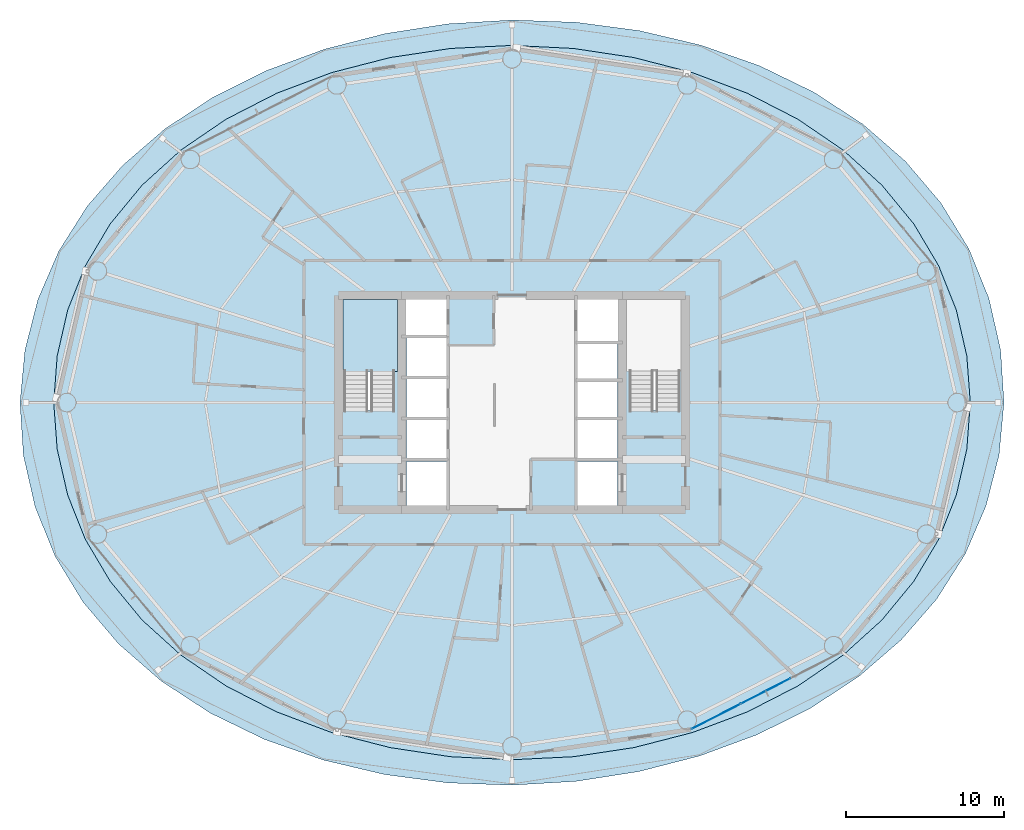
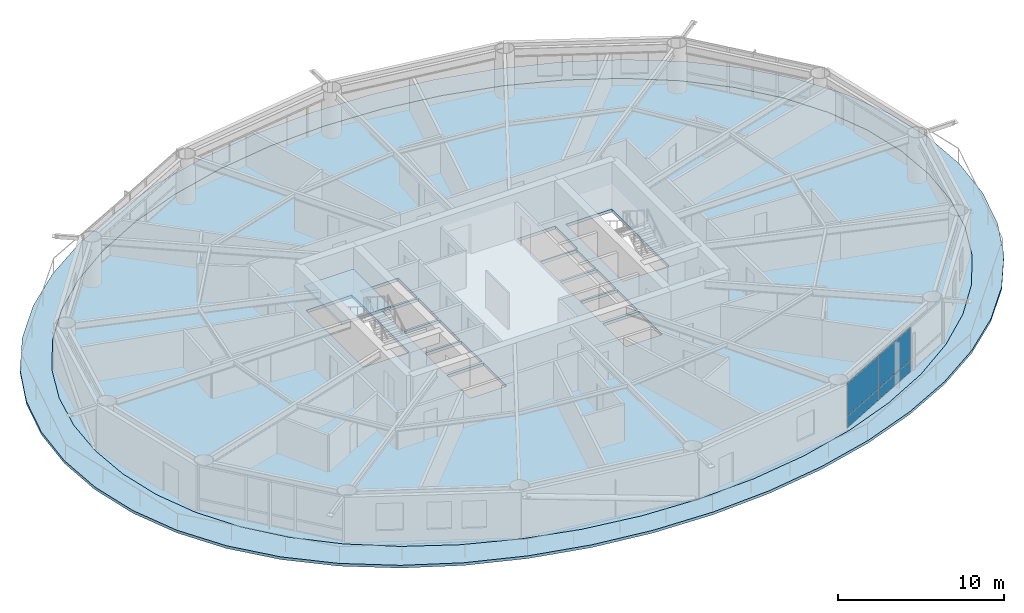
# One storey, part 15 of 24: 4 plates, 3 slabs, 2 elements without a shape of their own.
"""IFC4 building model written with IfcOpenShell, lengths in metres."""

from ifc_helpers import new_model, si_unit, direction, frame, origin, origin_2d, place, context, subcontext, project, spatial, polyline, rectangle, outline, extrude, material, layer, layer_set, type_object, element, aggregate, save


model = new_model("IFC4")

# Units and contexts
model_context = context("Model", 3, precision=1e-05, world=origin(), true_north=direction((0.0, 1.0)))
body_context = subcontext(model_context, "Body", "Model", "MODEL_VIEW")
ifc_project = project(units=[si_unit("LENGTHUNIT", "METRE"), si_unit("AREAUNIT", "SQUARE_METRE"), si_unit("VOLUMEUNIT", "CUBIC_METRE"), si_unit("PLANEANGLEUNIT", "RADIAN"), si_unit("MASSUNIT", "GRAM", prefix="KILO")], contexts=[model_context])

# Site, building, storey
site_placement = place(None, origin())
site = spatial("IfcSite", under=ifc_project, at=site_placement, CompositionType="ELEMENT")
building_placement = place(site_placement, origin())
building = spatial("IfcBuilding", under=site, at=building_placement, Name="Sarneth Arch Tower", CompositionType="ELEMENT")
storey_placement = place(building_placement, frame((0.0, 0.0, 94.800048828125)))
storey = spatial("IfcBuildingStorey", under=building, at=storey_placement, Name="L23", CompositionType="ELEMENT", Elevation=94.800048828125)

# Curtain wall, plates
ifc_material_1 = material(Name="Anodised aluminium Type AA25 and solar-control low-e laminated IGU", Category="aluminium")
ifc_layer_1 = layer(ifc_material_1, 0.159912109375)
ifc_layer_set_1 = layer_set([ifc_layer_1], Name="Anodised aluminium Type AA25 and solar-control low-e laminated IGU")
curtain_wall_type = type_object("IfcCurtainWallType", Name="CW-HOTEL-MID", PredefinedType="NOTDEFINED", material=ifc_layer_set_1)
curtain_wall_placement = place(storey_placement, origin())
curtain_wall = element("IfcCurtainWall", 1, at=curtain_wall_placement, inside=storey, type_object=curtain_wall_type, Name="L23 Unitised curtain wall facet 14", PredefinedType="NOTDEFINED")
ifc_material_2 = material(Name="Solar-control low-e laminated IGU", Category="glass")
ifc_layer_2 = layer(ifc_material_2, 0.028076171875)
ifc_layer_set_2 = layer_set([ifc_layer_2], Name="Solar-control low-e laminated IGU")
plate_type = type_object("IfcPlateType", Name="CW-PANEL", PredefinedType="CURTAIN_PANEL", material=ifc_layer_set_2)
plate_1_placement = place(storey_placement, frame((60.946044921875, 22.094482421875, 0.059814453125), z_axis=(0.0, 0.0, 1.0), x_axis=(0.889963703649, 0.456031365356, 0.0)))
plate_1 = element("IfcPlate", 2, at=plate_1_placement, type_object=plate_type, Name="Curtain wall glazed vision pane CW-L23-F14/P00-00", PredefinedType="CURTAIN_PANEL", context=body_context, shape_type="SweptSolid", body=[
    extrude(rectangle(XDim=3.464111328125, YDim=0.028076171875, at=origin_2d()), origin(), (0.0, 0.0, 1.0), 0.81005859375),
])
plate_2_placement = place(storey_placement, frame((60.946044921875, 22.094482421875, 0.93017578125), z_axis=(0.0, 0.0, 1.0), x_axis=(0.889963703649, 0.456031365356, 0.0)))
plate_2 = element("IfcPlate", 3, at=plate_2_placement, type_object=plate_type, Name="Curtain wall glazed vision pane CW-L23-F14/P00-01", PredefinedType="CURTAIN_PANEL", context=body_context, shape_type="SweptSolid", body=[
    extrude(rectangle(XDim=3.464111328125, YDim=0.028076171875, at=origin_2d()), origin(), (0.0, 0.0, 1.0), 2.389892578125),
])
plate_3_placement = place(storey_placement, frame((64.095703125, 23.70849609375, 0.059814453125), z_axis=(0.0, 0.0, 1.0), x_axis=(0.889963703649, 0.456031365356, 0.0)))
plate_3 = element("IfcPlate", 4, at=plate_3_placement, type_object=plate_type, Name="Curtain wall glazed vision pane CW-L23-F14/P01-00", PredefinedType="CURTAIN_PANEL", context=body_context, shape_type="SweptSolid", body=[
    extrude(rectangle(XDim=3.493896484375, YDim=0.028076171875, at=origin_2d()), origin(), (0.0, 0.0, 1.0), 0.81005859375),
])
plate_4_placement = place(storey_placement, frame((64.095703125, 23.70849609375, 0.93017578125), z_axis=(0.0, 0.0, 1.0), x_axis=(0.889963703649, 0.456031365356, 0.0)))
plate_4 = element("IfcPlate", 5, at=plate_4_placement, type_object=plate_type, Name="Curtain wall glazed vision pane CW-L23-F14/P01-01", PredefinedType="CURTAIN_PANEL", context=body_context, shape_type="SweptSolid", body=[
    extrude(rectangle(XDim=3.493896484375, YDim=0.028076171875, at=origin_2d()), origin(), (0.0, 0.0, 1.0), 2.389892578125),
])
aggregate(curtain_wall, [plate_1, plate_2, plate_3, plate_4])

# Slab
ifc_material_3 = material(Name="Concrete C50/60", Category="concrete")
ifc_layer_3 = layer(ifc_material_3, 0.199951171875)
ifc_layer_set_3 = layer_set([ifc_layer_3], Name="Concrete C50/60")
slab_type_1 = type_object("IfcSlabType", Name="SLAB-BALC-200", PredefinedType="FLOOR", material=ifc_layer_set_3)
slab_1_placement = place(storey_placement, frame((0.0, 0.0, -0.199951171875)))
element("IfcSlab", 6, at=slab_1_placement, inside=storey, type_object=slab_type_1, Name="L23 Helical balcony band slab", PredefinedType="FLOOR", context=body_context, shape_type="SweptSolid", body=[
    extrude(outline(polyline([(79.20068359375, 42.0), (78.986572265625, 45.339599609375), (78.243896484375, 48.611572265625), (76.97802734375, 51.738037109375), (75.20361328125, 54.65478515625), (72.9443359375, 57.310791015625), (70.236572265625, 59.6669921875), (67.1298828125, 61.69287109375), (63.687744140625, 63.364990234375), (59.981201171875, 64.66650390625), (56.08447265625, 65.586181640625), (52.068359375, 66.118408203125), (48.0, 66.261962890625), (43.94140625, 66.02001953125), (39.95361328125, 65.39892578125), (36.099609375, 64.40869140625), (32.44482421875, 63.061767578125), (29.054931640625, 61.37353515625), (25.9931640625, 59.36181640625), (23.3134765625, 57.046875), (21.05810546875, 54.4521484375), (19.2578125, 51.6064453125), (17.935791015625, 48.54638671875), (17.110595703125, 45.322021484375), (16.79931640625, 42.0), (17.013427734375, 38.660400390625), (17.756103515625, 35.388427734375), (19.02197265625, 32.261962890625), (20.79638671875, 29.34521484375), (23.0556640625, 26.689208984375), (25.763427734375, 24.3330078125), (28.8701171875, 22.30712890625), (32.312255859375, 20.635009765625), (36.018798828125, 19.33349609375), (39.91552734375, 18.413818359375), (43.931640625, 17.881591796875), (48.0, 17.738037109375), (52.05859375, 17.97998046875), (56.04638671875, 18.60107421875), (59.900390625, 19.59130859375), (63.55517578125, 20.938232421875), (66.945068359375, 22.62646484375), (70.0068359375, 24.63818359375), (72.6865234375, 26.953125), (74.94189453125, 29.5478515625), (76.7421875, 32.3935546875), (78.064208984375, 35.45361328125), (78.889404296875, 38.677978515625), (79.20068359375, 42.0)]), holes=[polyline([(77.062744140625, 42.0), (76.84228515625, 44.956298828125), (76.17724609375, 47.8623046875), (75.060546875, 50.667724609375), (73.486328125, 53.324951171875), (71.458251953125, 55.788330078125), (68.994384765625, 58.015869140625), (66.132080078125, 59.969482421875), (62.923828125, 61.615478515625), (59.435302734375, 62.92578125), (55.73779296875, 63.878173828125), (51.902587890625, 64.456298828125), (48.0, 64.64990234375), (44.097412109375, 64.456298828125), (40.26220703125, 63.878173828125), (36.564697265625, 62.92578125), (33.076171875, 61.615478515625), (29.867919921875, 59.969482421875), (27.005615234375, 58.015869140625), (24.541748046875, 55.788330078125), (22.513671875, 53.324951171875), (20.939453125, 50.667724609375), (19.82275390625, 47.8623046875), (19.15771484375, 44.956298828125), (18.937255859375, 42.0), (19.15771484375, 39.043701171875), (19.82275390625, 36.1376953125), (20.939453125, 33.332275390625), (22.513671875, 30.675048828125), (24.541748046875, 28.211669921875), (27.005615234375, 25.984130859375), (29.867919921875, 24.030517578125), (33.076171875, 22.384521484375), (36.564697265625, 21.07421875), (40.26220703125, 20.121826171875), (44.097412109375, 19.543701171875), (48.0, 19.35009765625), (51.902587890625, 19.543701171875), (55.73779296875, 20.121826171875), (59.435302734375, 21.07421875), (62.923828125, 22.384521484375), (66.132080078125, 24.030517578125), (68.994384765625, 25.984130859375), (71.458251953125, 28.211669921875), (73.486328125, 30.675048828125), (75.060546875, 33.332275390625), (76.17724609375, 36.1376953125), (76.84228515625, 39.043701171875), (77.062744140625, 42.0)])]), origin(), (0.0, 0.0, 1.0), 0.199951171875),
])

# Stair, slab
ifc_material_4 = material(Name="Concrete C50/60", Category="concrete")
stair_type = type_object("IfcStairType", Name="STAIR-CORE-RC", PredefinedType="HALF_TURN_STAIR", material=ifc_material_4)
stair_placement = place(storey_placement, origin())
stair = element("IfcStair", 7, at=stair_placement, inside=storey, type_object=stair_type, Name="L23 Core Exit Stair 1", PredefinedType="HALF_TURN_STAIR")
ifc_material_5 = material(Name="Concrete C50/60", Category="concrete")
ifc_layer_4 = layer(ifc_material_5, 0.199951171875)
ifc_layer_set_4 = layer_set([ifc_layer_4], Name="Concrete C50/60")
slab_type_2 = type_object("IfcSlabType", Name="SLAB-LANDING-200", PredefinedType="LANDING", material=ifc_layer_set_4)
slab_2_placement = place(storey_placement, frame((0.0, 0.0, 1.599853515625)))
slab_2 = element("IfcSlab", 8, at=slab_2_placement, type_object=slab_type_2, Name="ST-1 landing 1", PredefinedType="LANDING", context=body_context, shape_type="SweptSolid", body=[
    extrude(outline(polyline([(37.27490234375, 43.985107421875), (40.72509765625, 43.985107421875), (40.72509765625, 48.52490234375), (37.27490234375, 48.52490234375), (37.27490234375, 43.985107421875)])), origin(), (0.0, 0.0, 1.0), 0.2001953125),
])
aggregate(stair, [slab_2])

# Slab
ifc_material_6 = material(Name="Concrete C50/60", Category="concrete")
ifc_layer_5 = layer(ifc_material_6, 0.219970703125)
ifc_layer_set_5 = layer_set([ifc_layer_5], Name="Concrete C50/60")
slab_type_3 = type_object("IfcSlabType", Name="SLAB-TOWER-220", PredefinedType="FLOOR", material=ifc_layer_set_5)
slab_3_placement = place(storey_placement, frame((0.0, 0.0, -0.219970703125)))
element("IfcSlab", 9, at=slab_3_placement, inside=storey, type_object=slab_type_3, Name="L23 Elliptical floor slab", PredefinedType="FLOOR", context=body_context, shape_type="SweptSolid", body=[
    extrude(outline(polyline([(77.062744140625, 42.0), (76.84228515625, 44.956298828125), (76.17724609375, 47.8623046875), (75.060546875, 50.667724609375), (73.486328125, 53.324951171875), (71.458251953125, 55.788330078125), (68.994384765625, 58.015869140625), (66.132080078125, 59.969482421875), (62.923828125, 61.615478515625), (59.435302734375, 62.92578125), (55.73779296875, 63.878173828125), (51.902587890625, 64.456298828125), (48.0, 64.64990234375), (44.097412109375, 64.456298828125), (40.26220703125, 63.878173828125), (36.564697265625, 62.92578125), (33.076171875, 61.615478515625), (29.867919921875, 59.969482421875), (27.005615234375, 58.015869140625), (24.541748046875, 55.788330078125), (22.513671875, 53.324951171875), (20.939453125, 50.667724609375), (19.82275390625, 47.8623046875), (19.15771484375, 44.956298828125), (18.937255859375, 42.0), (19.15771484375, 39.043701171875), (19.82275390625, 36.1376953125), (20.939453125, 33.332275390625), (22.513671875, 30.675048828125), (24.541748046875, 28.211669921875), (27.005615234375, 25.984130859375), (29.867919921875, 24.030517578125), (33.076171875, 22.384521484375), (36.564697265625, 21.07421875), (40.26220703125, 20.121826171875), (44.097412109375, 19.543701171875), (48.0, 19.35009765625), (51.902587890625, 19.543701171875), (55.73779296875, 20.121826171875), (59.435302734375, 21.07421875), (62.923828125, 22.384521484375), (66.132080078125, 24.030517578125), (68.994384765625, 25.984130859375), (71.458251953125, 28.211669921875), (73.486328125, 30.675048828125), (75.060546875, 33.332275390625), (76.17724609375, 36.1376953125), (76.84228515625, 39.043701171875), (77.062744140625, 42.0)]), holes=[polyline([(37.35009765625, 41.489990234375), (40.550048828125, 41.489990234375), (40.550048828125, 48.39990234375), (37.35009765625, 48.39990234375), (37.35009765625, 41.489990234375)]), polyline([(55.449951171875, 41.489990234375), (58.64990234375, 41.489990234375), (58.64990234375, 48.39990234375), (55.449951171875, 48.39990234375), (55.449951171875, 41.489990234375)]), polyline([(41.199951171875, 46.25), (43.85009765625, 46.25), (43.85009765625, 48.550048828125), (41.199951171875, 48.550048828125), (41.199951171875, 46.25)]), polyline([(41.300048828125, 35.449951171875), (43.85009765625, 35.449951171875), (43.85009765625, 38.25), (41.300048828125, 38.25), (41.300048828125, 35.449951171875)]), polyline([(52.14990234375, 35.449951171875), (54.699951171875, 35.449951171875), (54.699951171875, 38.25), (52.14990234375, 38.25), (52.14990234375, 35.449951171875)]), polyline([(52.14990234375, 45.85009765625), (54.800048828125, 45.85009765625), (54.800048828125, 48.550048828125), (52.14990234375, 48.550048828125), (52.14990234375, 45.85009765625)]), polyline([(41.300048828125, 38.449951171875), (43.85009765625, 38.449951171875), (43.85009765625, 40.89990234375), (41.300048828125, 40.89990234375), (41.300048828125, 38.449951171875)]), polyline([(41.300048828125, 41.050048828125), (43.85009765625, 41.050048828125), (43.85009765625, 43.5), (41.300048828125, 43.5), (41.300048828125, 41.050048828125)]), polyline([(41.300048828125, 43.64990234375), (43.85009765625, 43.64990234375), (43.85009765625, 46.10009765625), (41.300048828125, 46.10009765625), (41.300048828125, 43.64990234375)]), polyline([(52.14990234375, 38.449951171875), (54.699951171875, 38.449951171875), (54.699951171875, 40.89990234375), (52.14990234375, 40.89990234375), (52.14990234375, 38.449951171875)]), polyline([(52.14990234375, 41.050048828125), (54.699951171875, 41.050048828125), (54.699951171875, 43.35009765625), (52.14990234375, 43.35009765625), (52.14990234375, 41.050048828125)]), polyline([(52.14990234375, 43.5), (54.699951171875, 43.5), (54.699951171875, 45.75), (52.14990234375, 45.75), (52.14990234375, 43.5)])]), origin(), (0.0, 0.0, 1.0), 0.219970703125),
])

save(model, "model.ifc")
